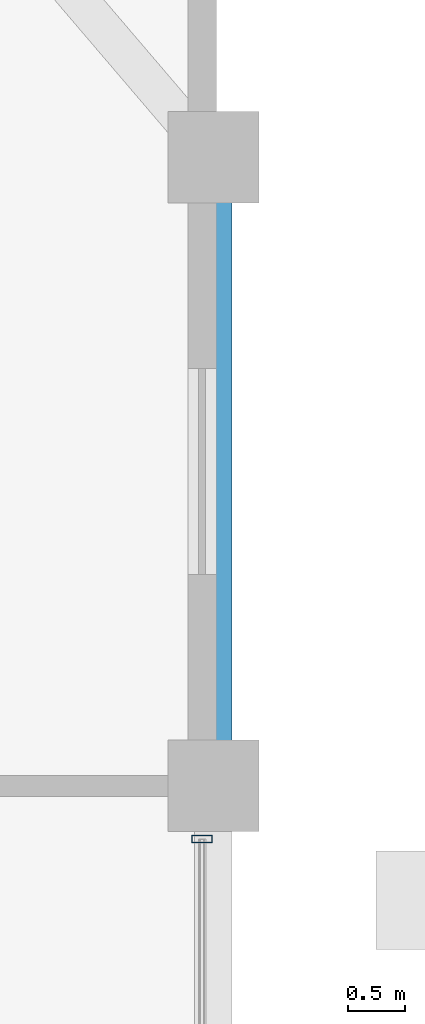
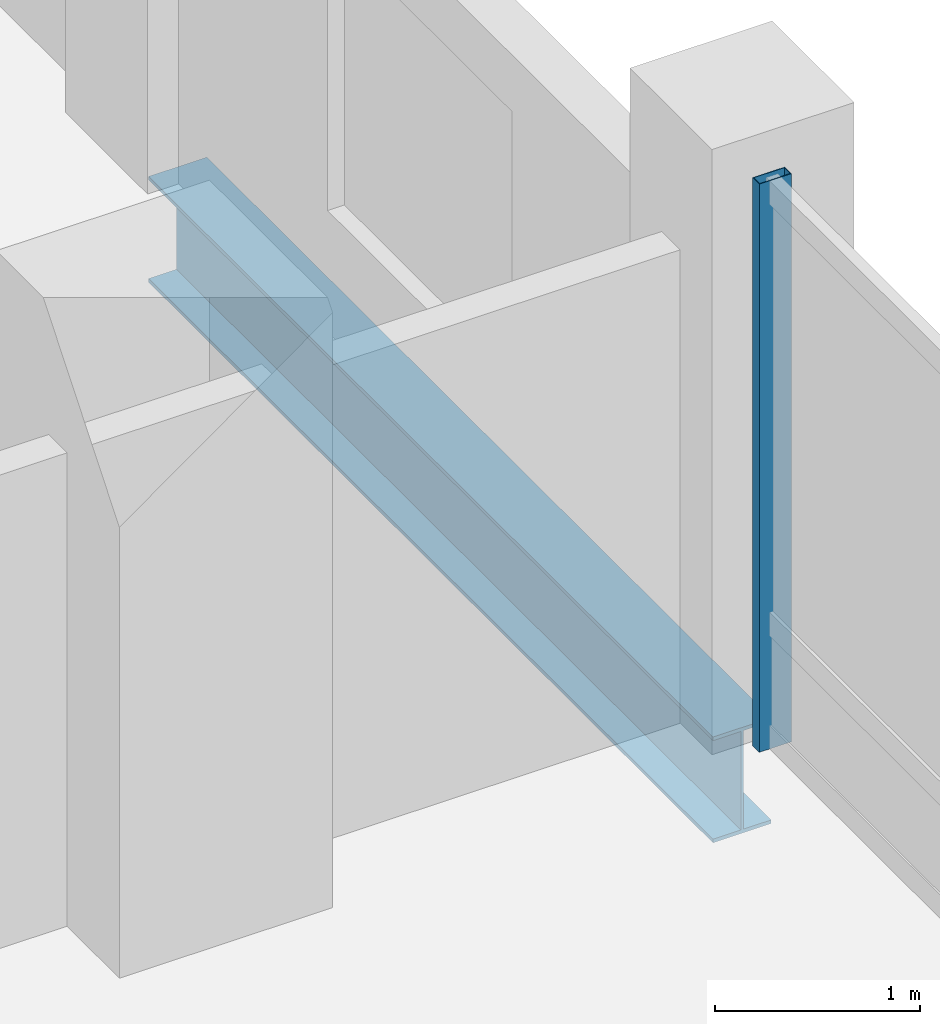
# One storey, part 12 of 20: 1 beam, 1 member, 1 element without a shape of its own.
"""IFC4 building model written with IfcOpenShell, lengths in metres."""

from ifc_helpers import new_model, si_unit, direction, frame, origin, origin_2d, place, context, subcontext, project, spatial, hollow_rectangle, i_section, extrude, material, layer, layer_set, material_profile, profile_set, type_object, element, aggregate, save


model = new_model("IFC4")

# Units and contexts
model_context = context("Model", 3, precision=1e-05, world=origin(), true_north=direction((0.0, 1.0)))
body_context = subcontext(model_context, "Body", "Model", "MODEL_VIEW")
ifc_project = project(units=[si_unit("LENGTHUNIT", "METRE"), si_unit("AREAUNIT", "SQUARE_METRE"), si_unit("VOLUMEUNIT", "CUBIC_METRE"), si_unit("PLANEANGLEUNIT", "RADIAN"), si_unit("MASSUNIT", "GRAM", prefix="KILO")], contexts=[model_context])

# Site, building, storey
site_placement = place(None, origin())
site = spatial("IfcSite", under=ifc_project, at=site_placement, CompositionType="ELEMENT")
building_placement = place(site_placement, origin())
building = spatial("IfcBuilding", under=site, at=building_placement, Name="Barlavira Tower and Art Museum", CompositionType="ELEMENT")
storey_placement = place(building_placement, frame((0.0, 0.0, 147.60009765625)))
storey = spatial("IfcBuildingStorey", under=building, at=storey_placement, Name="L37", CompositionType="ELEMENT", Elevation=147.60009765625)

# Curtain wall, member
ifc_material_1 = material(Name="Low-iron coastal laminated glass", Category="glass")
ifc_layer = layer(ifc_material_1, 0.18994140625, Name="Low-iron coastal laminated glass")
ifc_layer_set = layer_set([ifc_layer], Name="Low-iron coastal laminated glass")
curtain_wall_type = type_object("IfcCurtainWallType", Name="Pale-Metal Unitised Curtain Wall Zone 2", PredefinedType="NOTDEFINED", material=ifc_layer_set)
curtain_wall_placement = place(storey_placement, origin())
curtain_wall = element("IfcCurtainWall", 1, at=curtain_wall_placement, inside=storey, type_object=curtain_wall_type, Name="L37 Curtain Wall CW2-L37-E-B3", PredefinedType="NOTDEFINED")
ifc_material_2 = material(Name="Pale anodised aluminium", Category="aluminium")
ifc_material_profile_1 = material_profile(ifc_material_2, hollow_rectangle(XDim=0.06494140625, YDim=0.179931640625, WallThickness=0.00390625, at=origin_2d()), Name="ALU-MULL 65x180x4")
ifc_profile_set_1 = profile_set([ifc_material_profile_1], Name="Pale anodised aluminium")
member_type = type_object("IfcMemberType", Name="Curtain Wall Pale-Metal Mullion 65x180", PredefinedType="MULLION", material=ifc_profile_set_1)
member_placement = place(storey_placement, frame((20.14990234375, 7.034912109375, 0.0), z_axis=(0.0, 0.0, 1.0), x_axis=(0.0, 1.0, 0.0)))
member = element("IfcMember", 2, at=member_placement, type_object=member_type, Name="CW2-L37-E-B3 Mullion 3", PredefinedType="MULLION", context=body_context, shape_type="SweptSolid", body=[
    extrude(hollow_rectangle(XDim=0.06494140625, YDim=0.179931640625, WallThickness=0.00390625, at=origin_2d()), origin(), (0.0, 0.0, 1.0), 3.3798828125),
])
aggregate(curtain_wall, [member])

# Beam
ifc_material_3 = material(Name="Steel S355", Category="steel")
ifc_material_profile_2 = material_profile(ifc_material_3, i_section(OverallWidth=0.327880859375, OverallDepth=0.62890625, WebThickness=0.013916015625, FlangeThickness=0.021484375, at=origin_2d()), Name="W610x174.0")
ifc_profile_set_2 = profile_set([ifc_material_profile_2], Name="Steel S355")
beam_type = type_object("IfcBeamType", Name="Perimeter Spandrel Edge Beam W610x174 Steel S355", PredefinedType="SPANDREL", material=ifc_profile_set_2)
beam_placement = place(storey_placement, frame((20.25, 7.5, -0.53466796875), z_axis=(0.0, 1.0, 0.0), x_axis=(-1.0, 0.0, 0.0)))
element("IfcBeam", 3, at=beam_placement, inside=storey, type_object=beam_type, Name="L37 Spandrel 7", PredefinedType="SPANDREL", context=body_context, shape_type="SweptSolid", body=[
    extrude(i_section(OverallWidth=0.327880859375, OverallDepth=0.62890625, WebThickness=0.013916015625, FlangeThickness=0.021484375, at=origin_2d()), origin(), (0.0, 0.0, 1.0), 5.5),
])

save(model, "model.ifc")
